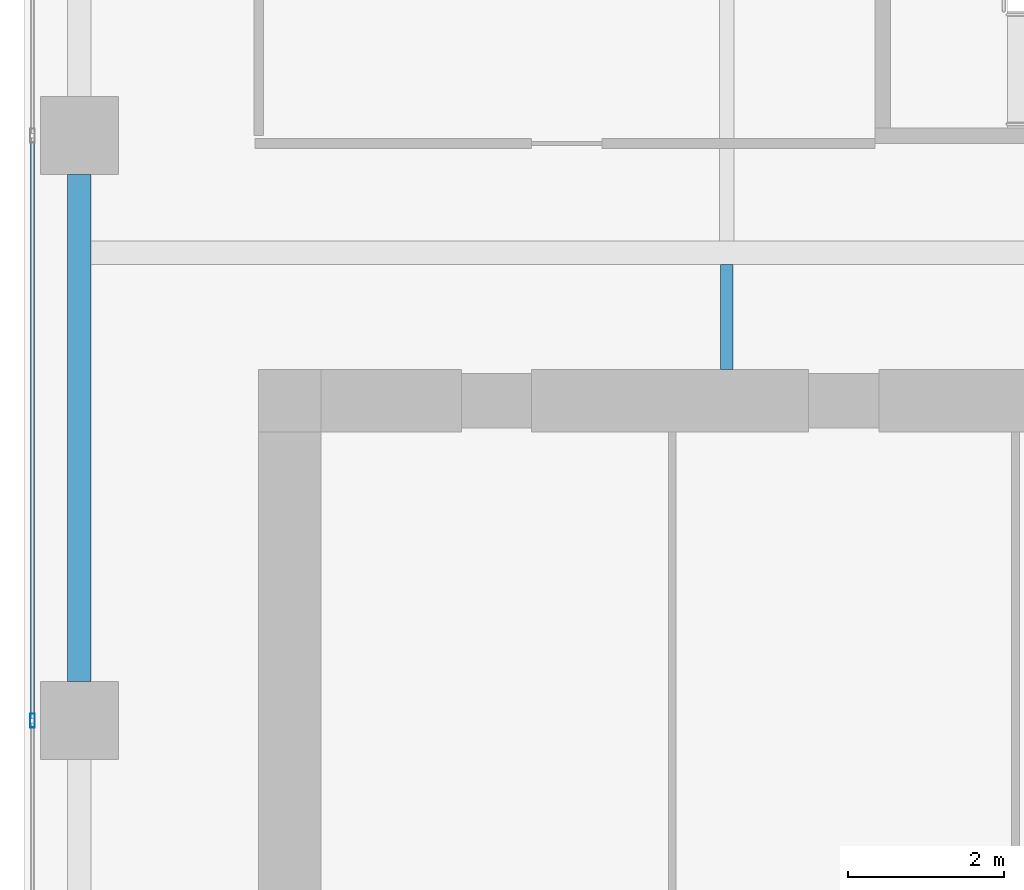
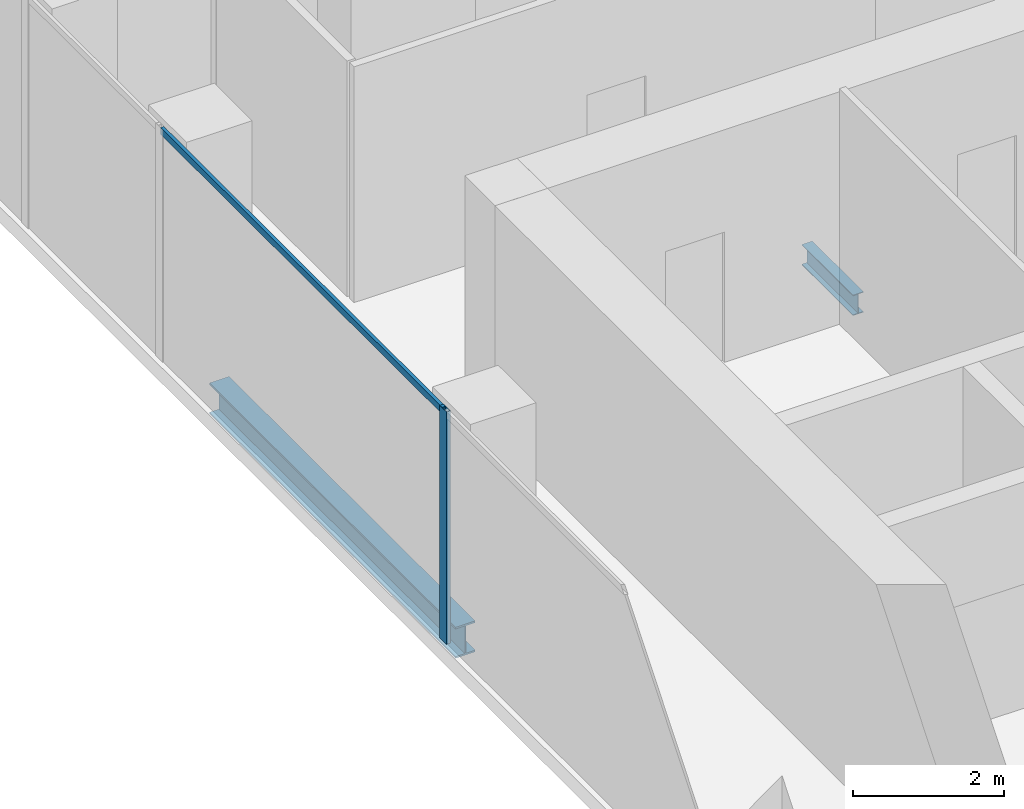
# One storey, part 17 of 40: 2 beams, 2 members, 1 element without a shape of its own.
"""IFC4 building model written with IfcOpenShell, lengths in metres."""

from ifc_helpers import new_model, si_unit, direction, frame, origin, origin_2d, place, context, subcontext, project, spatial, hollow_rectangle, i_section, extrude, source, transform, mapped, material, material_profile, profile_set, type_object, element, aggregate, save


model = new_model("IFC4")

# Units and contexts
model_context = context("Model", 3, precision=1e-05, world=origin(), true_north=direction((0.0, 1.0)))
body_context = subcontext(model_context, "Body", "Model", "MODEL_VIEW")
ifc_project = project(units=[si_unit("LENGTHUNIT", "METRE"), si_unit("AREAUNIT", "SQUARE_METRE"), si_unit("VOLUMEUNIT", "CUBIC_METRE"), si_unit("PLANEANGLEUNIT", "RADIAN"), si_unit("MASSUNIT", "GRAM", prefix="KILO")], contexts=[model_context])

# Site, building, storey
site_placement = place(None, origin())
site = spatial("IfcSite", under=ifc_project, at=site_placement, CompositionType="ELEMENT")
building_placement = place(site_placement, origin())
building = spatial("IfcBuilding", under=site, at=building_placement, Name="Khomas Fold Tower", CompositionType="ELEMENT")
storey_placement = place(building_placement, frame((0.0, 0.0, 204.699951171875)))
storey = spatial("IfcBuildingStorey", under=building, at=storey_placement, Name="L45", CompositionType="ELEMENT", Elevation=204.699951171875)

# Beams
ifc_material_1 = material(Name="Steel S355", Category="steel")
ifc_material_profile_1 = material_profile(ifc_material_1, i_section(OverallWidth=0.300048828125, OverallDepth=0.5, WebThickness=0.014404296875, FlangeThickness=0.028076171875, at=origin_2d()), Name="HE 500 B")
ifc_profile_set_1 = profile_set([ifc_material_profile_1], Name="Steel S355")
beam_type_1 = type_object("IfcBeamType", Name="HE 500 B spandrel SB3", PredefinedType="SPANDREL", material=ifc_profile_set_1)
shared_shape_1 = source(origin(), body_context, "Body", "SweptSolid", [
    extrude(i_section(OverallWidth=0.300048828125, OverallDepth=0.5, WebThickness=0.014404296875, FlangeThickness=0.028076171875, at=origin_2d()), origin(), (0.0, 0.0, 1.0), 6.5),
])
beam_1_placement = place(storey_placement, frame((3.699951171875, 35.0, -0.5), z_axis=(0.0, 1.0, 0.0), x_axis=(-1.0, 0.0, 0.0)))
element("IfcBeam", 1, at=beam_1_placement, inside=storey, type_object=beam_type_1, Name="SB3", PredefinedType="SPANDREL", context=body_context, shape_type="MappedRepresentation", body=[
    mapped(shared_shape_1, transform((0.0, 0.0, 0.0))),
])
ifc_material_2 = material(Name="Steel S355", Category="steel")
ifc_material_profile_2 = material_profile(ifc_material_2, i_section(OverallWidth=0.159912109375, OverallDepth=0.330078125, WebThickness=0.007568359375, FlangeThickness=0.011474609375, at=origin_2d()), Name="IPE 330")
ifc_profile_set_2 = profile_set([ifc_material_profile_2], Name="Steel S355")
beam_type_2 = type_object("IfcBeamType", Name="IPE 330 beam JB1", PredefinedType="BEAM", material=ifc_profile_set_2)
shared_shape_2 = source(origin(), body_context, "Body", "SweptSolid", [
    extrude(i_section(OverallWidth=0.159912109375, OverallDepth=0.330078125, WebThickness=0.007568359375, FlangeThickness=0.011474609375, at=origin_2d()), origin(), (0.0, 0.0, 1.0), 1.35009765625),
])
beam_2_placement = place(storey_placement, frame((12.0, 39.0, -0.4150390625), z_axis=(0.0, 1.0, 0.0), x_axis=(-1.0, 0.0, 0.0)))
element("IfcBeam", 2, at=beam_2_placement, inside=storey, type_object=beam_type_2, Name="JB1", PredefinedType="BEAM", context=body_context, shape_type="MappedRepresentation", body=[
    mapped(shared_shape_2, transform((0.0, 0.0, 0.0))),
])

# Curtain wall, members
ifc_material_3 = material(Name="Aluminium framed double glazing", Category="aluminium")
curtain_wall_type = type_object("IfcCurtainWallType", Name="SK-Unitised clear-glass wall, office floors CW2", PredefinedType="NOTDEFINED", material=ifc_material_3)
curtain_wall_placement = place(storey_placement, origin())
curtain_wall = element("IfcCurtainWall", 3, at=curtain_wall_placement, inside=storey, type_object=curtain_wall_type, Name="CW2 run L45 09-0", PredefinedType="NOTDEFINED")
ifc_material_4 = material(Name="Aluminium", Category="aluminium")
ifc_material_profile_3 = material_profile(ifc_material_4, hollow_rectangle(XDim=0.06005859375, YDim=0.179931640625, WallThickness=0.00390625, at=origin_2d()), Name="SK-Unitised clear-glass wall, office floors mullion CW2-M")
ifc_profile_set_3 = profile_set([ifc_material_profile_3], Name="Aluminium")
member_type_1 = type_object("IfcMemberType", Name="SK-Unitised clear-glass wall, office floors mullion CW2-M", PredefinedType="MULLION", material=ifc_profile_set_3)
shared_shape_3 = source(origin(), body_context, "Body", "SweptSolid", [
    extrude(hollow_rectangle(XDim=0.06005859375, YDim=0.179931640625, WallThickness=0.00390625, at=origin_2d()), origin(), (0.0, 0.0, 1.0), 3.75),
])
member_1_placement = place(storey_placement, frame((3.10009765625, 34.5, 0.0), z_axis=(0.0, 0.0, 1.0), x_axis=(1.0, 0.0, 0.0)))
member_1 = element("IfcMember", 4, at=member_1_placement, type_object=member_type_1, Name="CW2 mullion 4", PredefinedType="MULLION", context=body_context, shape_type="MappedRepresentation", body=[
    mapped(shared_shape_3, transform((0.0, 0.0, 0.0))),
])
ifc_material_5 = material(Name="Aluminium", Category="aluminium")
ifc_material_profile_4 = material_profile(ifc_material_5, hollow_rectangle(XDim=0.050048828125, YDim=0.110107421875, WallThickness=0.00390625, at=origin_2d()), Name="SK-Unitised clear-glass wall, office floors transom CW2-T")
ifc_profile_set_4 = profile_set([ifc_material_profile_4], Name="Aluminium")
member_type_2 = type_object("IfcMemberType", Name="SK-Unitised clear-glass wall, office floors transom CW2-T", PredefinedType="USERDEFINED", material=ifc_profile_set_4)
shared_shape_4 = source(origin(), body_context, "Body", "SweptSolid", [
    extrude(hollow_rectangle(XDim=0.050048828125, YDim=0.110107421875, WallThickness=0.00390625, at=origin_2d()), origin(), (0.0, 0.0, 1.0), 7.43994140625),
])
member_2_placement = place(storey_placement, frame((3.10009765625, 41.969970703125, 3.695068359375), z_axis=(0.0, -1.0, 0.0), x_axis=(1.0, 0.0, 0.0)))
member_2 = element("IfcMember", 5, at=member_2_placement, type_object=member_type_2, Name="CW2 transom 3", ObjectType="TRANSOM", PredefinedType="USERDEFINED", context=body_context, shape_type="MappedRepresentation", body=[
    mapped(shared_shape_4, transform((0.0, 0.0, 0.0))),
])
aggregate(curtain_wall, [member_1, member_2])

save(model, "model.ifc")
